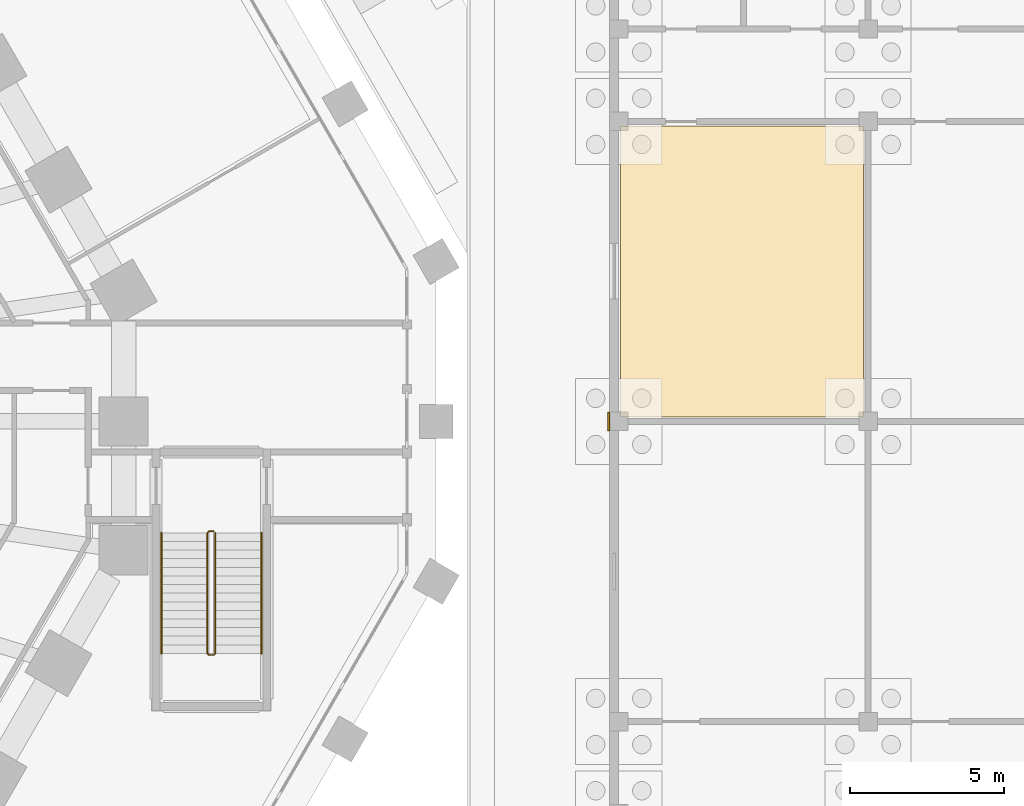
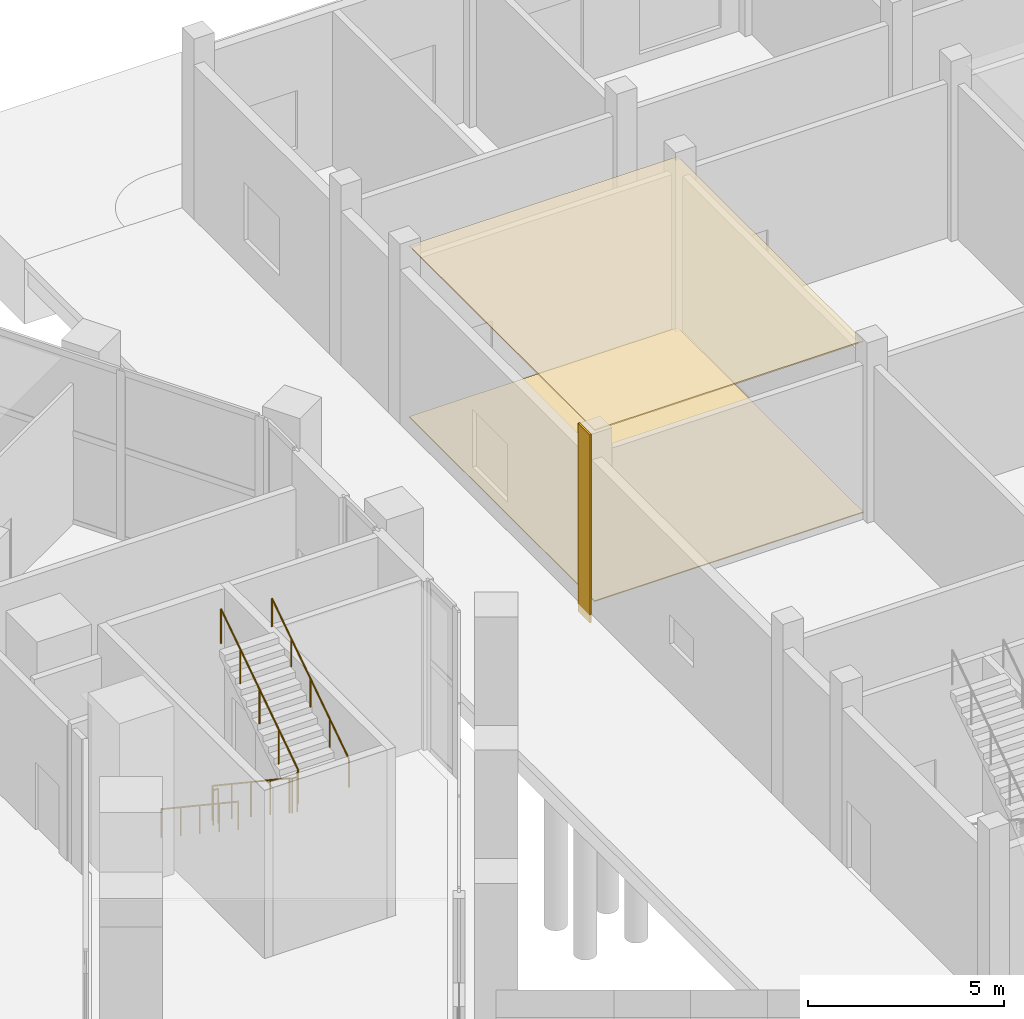
# One storey, part 37 of 44: 3 coverings, 3 railings.
"""IFC4 building model written with IfcOpenShell, lengths in metres."""

from ifc_helpers import new_model, si_unit, direction, frame, origin, origin_2d, place, context, subcontext, project, spatial, polyline, rectangle, circle, outline, extrude, material, layer, layer_set, type_object, element, save


model = new_model("IFC4")

# Units and contexts
model_context = context("Model", 3, precision=1e-05, world=origin(), true_north=direction((0.0, 1.0)))
body_context = subcontext(model_context, "Body", "Model", "MODEL_VIEW")
ifc_project = project(units=[si_unit("LENGTHUNIT", "METRE"), si_unit("AREAUNIT", "SQUARE_METRE"), si_unit("VOLUMEUNIT", "CUBIC_METRE"), si_unit("PLANEANGLEUNIT", "RADIAN"), si_unit("MASSUNIT", "GRAM", prefix="KILO")], contexts=[model_context])

# Site, building, storey
site_placement = place(None, origin())
site = spatial("IfcSite", under=ifc_project, at=site_placement, CompositionType="ELEMENT")
building_placement = place(site_placement, origin())
building = spatial("IfcBuilding", under=site, at=building_placement, Name="Frailejon Research Tower", CompositionType="ELEMENT")
storey_placement = place(building_placement, origin())
storey = spatial("IfcBuildingStorey", under=building, at=storey_placement, Name="L00", CompositionType="ELEMENT", Elevation=0.0)

# Covering
ifc_material_1 = material(Name="Aluminium cover plate", Category="aluminium")
covering_type_1 = type_object("IfcCoveringType", Name="HC joint cover", PredefinedType="USERDEFINED", material=ifc_material_1)
covering_1_placement = place(storey_placement, frame((44.175048828125, 0.0, -0.25), z_axis=(0.0, 0.0, 1.0), x_axis=(1.0, 0.0, 0.0)))
element("IfcCovering", 1, at=covering_1_placement, inside=storey, type_object=covering_type_1, Name="Movement joint cover L00", ObjectType="MOVEMENT JOINT COVER", PredefinedType="USERDEFINED", context=body_context, shape_type="SweptSolid", body=[
    extrude(rectangle(XDim=0.050048828125, YDim=0.60009765625, at=origin_2d()), origin(), (0.0, 0.0, 1.0), 5.85009765625),
])

# Railings
ifc_material_2 = material(Name="Stainless steel", Category="steel")
railing_type_1 = type_object("IfcRailingType", Name="Stair guard 1100", PredefinedType="GUARDRAIL", material=ifc_material_2)
railing_1_placement = place(storey_placement, frame((31.337890625, -3.56884765625, 0.0)))
element("IfcRailing", 2, at=railing_1_placement, inside=storey, type_object=railing_type_1, Name="L00 PS5 stair guard 1", PredefinedType="GUARDRAIL", context=body_context, shape_type="SweptSolid", body=[
    extrude(circle(Radius=0.02392578125, at=origin_2d()), frame((0.0, 0.0, 1.076171875), z_axis=(-1.0, 0.0, 0.0), x_axis=(0.0, -1.0, 0.0)), (0.0, 0.0, 1.0), 0.150146484375),
    extrude(circle(Radius=0.02392578125, at=origin_2d()), frame((-0.150146484375, 0.0, 1.076171875), z_axis=(-0.250582974236, -0.250582974236, 0.93510231849), x_axis=(0.707106781187, -0.707106781187, 0.0)), (0.0, 0.0, 1.0), 0.19970703125),
    extrude(circle(Radius=0.02392578125, at=origin_2d()), frame((-0.2001953125, -0.050048828125, 1.2626953125), z_axis=(0.0, -0.832050294338, 0.554700196225), x_axis=(1.0, 0.0, 0.0)), (0.0, 0.0, 1.0), 4.711181640625),
    extrude(circle(Radius=0.02392578125, at=origin_2d()), frame((-0.2001953125, -3.969970703125, 3.8759765625), z_axis=(0.707106781187, -0.707106781187, 0.0), x_axis=(0.707106781187, 0.707106781187, 0.0)), (0.0, 0.0, 1.0), 0.07080078125),
    extrude(circle(Radius=0.02392578125, at=origin_2d()), frame((-0.150146484375, -4.02001953125, 3.8759765625), z_axis=(1.0, 0.0, 0.0), x_axis=(0.0, 1.0, 0.0)), (0.0, 0.0, 1.0), 0.150146484375),
    extrude(circle(Radius=0.02392578125, at=origin_2d()), frame((0.0, -4.02001953125, 3.8759765625), z_axis=(0.249722437352, 0.250946566947, 0.935235010476), x_axis=(-0.708833529934, 0.705375805398, 0.0)), (0.0, 0.0, 1.0), 0.199462890625),
    extrude(circle(Radius=0.02392578125, at=origin_2d()), frame((0.0498046875, -3.969970703125, 4.0625), z_axis=(0.0, 0.832026376513, 0.554736071286), x_axis=(-1.0, 0.0, 0.0)), (0.0, 0.0, 1.0), 4.711181640625),
    extrude(circle(Radius=0.02099609375, at=origin_2d()), origin(), (0.0, 0.0, 1.0), 1.052001953125),
    extrude(circle(Radius=0.02099609375, at=origin_2d()), frame((-0.150146484375, 0.0, 0.0)), (0.0, 0.0, 1.0), 1.052001953125),
    extrude(circle(Radius=0.02099609375, at=origin_2d()), frame((-0.2001953125, -0.050048828125, 0.186767578125)), (0.0, 0.0, 1.0), 1.052001953125),
    extrude(circle(Radius=0.02099609375, at=origin_2d()), frame((-0.2001953125, -1.030029296875, 0.840087890625)), (0.0, 0.0, 1.0), 1.052001953125),
    extrude(circle(Radius=0.02099609375, at=origin_2d()), frame((-0.2001953125, -2.010009765625, 1.493408203125)), (0.0, 0.0, 1.0), 1.052001953125),
    extrude(circle(Radius=0.02099609375, at=origin_2d()), frame((-0.2001953125, -2.989990234375, 2.146728515625)), (0.0, 0.0, 1.0), 1.052001953125),
    extrude(circle(Radius=0.02099609375, at=origin_2d()), frame((-0.2001953125, -3.969970703125, 2.800048828125)), (0.0, 0.0, 1.0), 1.052001953125),
    extrude(circle(Radius=0.02099609375, at=origin_2d()), frame((-0.150146484375, -4.02001953125, 2.800048828125)), (0.0, 0.0, 1.0), 1.052001953125),
    extrude(circle(Radius=0.02099609375, at=origin_2d()), frame((0.0, -4.02001953125, 2.800048828125)), (0.0, 0.0, 1.0), 1.052001953125),
    extrude(circle(Radius=0.02099609375, at=origin_2d()), frame((0.0498046875, -3.969970703125, 2.986572265625)), (0.0, 0.0, 1.0), 1.052001953125),
    extrude(circle(Radius=0.02099609375, at=origin_2d()), frame((0.0498046875, -2.989990234375, 3.639892578125)), (0.0, 0.0, 1.0), 1.052001953125),
    extrude(circle(Radius=0.02099609375, at=origin_2d()), frame((0.0498046875, -2.010009765625, 4.29345703125)), (0.0, 0.0, 1.0), 1.052001953125),
    extrude(circle(Radius=0.02099609375, at=origin_2d()), frame((0.0498046875, -1.030029296875, 4.94677734375)), (0.0, 0.0, 1.0), 1.052001953125),
    extrude(circle(Radius=0.02099609375, at=origin_2d()), frame((0.0498046875, -0.050048828125, 5.60009765625)), (0.0, 0.0, 1.0), 1.052001953125),
])
ifc_material_3 = material(Name="Stainless steel", Category="steel")
railing_type_2 = type_object("IfcRailingType", Name="Stair handrail 900", PredefinedType="HANDRAIL", material=ifc_material_3)
railing_2_placement = place(storey_placement, frame((29.6376953125, -3.618896484375, 0.186767578125)))
element("IfcRailing", 3, at=railing_2_placement, inside=storey, type_object=railing_type_2, Name="L00 PS5 stair handrail 1", PredefinedType="HANDRAIL", context=body_context, shape_type="SweptSolid", body=[
    extrude(circle(Radius=0.02392578125, at=origin_2d()), frame((0.0, 0.0, 0.8759765625), z_axis=(0.0, -0.832050294338, 0.554700196225), x_axis=(1.0, 0.0, 0.0)), (0.0, 0.0, 1.0), 4.711181640625),
    extrude(circle(Radius=0.02099609375, at=origin_2d()), origin(), (0.0, 0.0, 1.0), 0.851806640625),
    extrude(circle(Radius=0.02099609375, at=origin_2d()), frame((0.0, -0.97998046875, 0.6533203125)), (0.0, 0.0, 1.0), 0.851806640625),
    extrude(circle(Radius=0.02099609375, at=origin_2d()), frame((0.0, -1.9599609375, 1.306640625)), (0.0, 0.0, 1.0), 0.851806640625),
    extrude(circle(Radius=0.02099609375, at=origin_2d()), frame((0.0, -2.93994140625, 1.9599609375)), (0.0, 0.0, 1.0), 0.851806640625),
    extrude(circle(Radius=0.02099609375, at=origin_2d()), frame((0.0, -3.919921875, 2.61328125)), (0.0, 0.0, 1.0), 0.851806640625),
])
railing_3_placement = place(storey_placement, frame((32.8876953125, -7.538818359375, 2.986572265625)))
element("IfcRailing", 4, at=railing_3_placement, inside=storey, type_object=railing_type_2, Name="L00 PS5 stair handrail 2", PredefinedType="HANDRAIL", context=body_context, shape_type="SweptSolid", body=[
    extrude(circle(Radius=0.02392578125, at=origin_2d()), frame((0.0, 0.0, 0.8759765625), z_axis=(0.0, 0.832026376513, 0.554736071286), x_axis=(-1.0, 0.0, 0.0)), (0.0, 0.0, 1.0), 4.711181640625),
    extrude(circle(Radius=0.02099609375, at=origin_2d()), origin(), (0.0, 0.0, 1.0), 0.851806640625),
    extrude(circle(Radius=0.02099609375, at=origin_2d()), frame((0.0, 0.97998046875, 0.6533203125)), (0.0, 0.0, 1.0), 0.851806640625),
    extrude(circle(Radius=0.02099609375, at=origin_2d()), frame((0.0, 1.9599609375, 1.306640625)), (0.0, 0.0, 1.0), 0.851806640625),
    extrude(circle(Radius=0.02099609375, at=origin_2d()), frame((0.0, 2.93994140625, 1.960205078125)), (0.0, 0.0, 1.0), 0.851806640625),
    extrude(circle(Radius=0.02099609375, at=origin_2d()), frame((0.0, 3.919921875, 2.613525390625)), (0.0, 0.0, 1.0), 0.851806640625),
])

# Coverings
ifc_material_4 = material(Name="Mineral fibre ceiling board")
ifc_layer_1 = layer(ifc_material_4, 0.0400390625)
ifc_layer_set_1 = layer_set([ifc_layer_1], Name="Suspended ceiling 40")
covering_type_2 = type_object("IfcCoveringType", Name="Suspended ceiling 40", PredefinedType="CEILING", material=ifc_layer_set_1)
covering_2_placement = place(storey_placement, frame((0.0, 0.0, 5.31005859375)))
element("IfcCovering", 5, at=covering_2_placement, inside=storey, type_object=covering_type_2, Name="Ceiling Registration and admissions H017", PredefinedType="CEILING", context=body_context, shape_type="SweptSolid", body=[
    extrude(outline(polyline([(52.449951171875, 9.60009765625), (44.550048828125, 9.60009765625), (44.550048828125, 0.14990234375), (52.449951171875, 0.14990234375), (52.449951171875, 9.60009765625)])), origin(), (0.0, 0.0, 1.0), 0.0400390625),
])
ifc_material_5 = material(Name="Polished terrazzo")
ifc_layer_2 = layer(ifc_material_5, 0.030029296875)
ifc_layer_set_2 = layer_set([ifc_layer_2], Name="Terrazzo floor finish 30")
covering_type_3 = type_object("IfcCoveringType", Name="Terrazzo floor finish 30", PredefinedType="FLOORING", material=ifc_layer_set_2)
covering_3_placement = place(storey_placement, origin())
element("IfcCovering", 6, at=covering_3_placement, inside=storey, type_object=covering_type_3, Name="Floor finish Registration and admissions H017", PredefinedType="FLOORING", context=body_context, shape_type="SweptSolid", body=[
    extrude(outline(polyline([(52.449951171875, 9.60009765625), (44.550048828125, 9.60009765625), (44.550048828125, 0.14990234375), (52.449951171875, 0.14990234375), (52.449951171875, 9.60009765625)])), origin(), (0.0, 0.0, 1.0), 0.030029296875),
])

save(model, "model.ifc")
